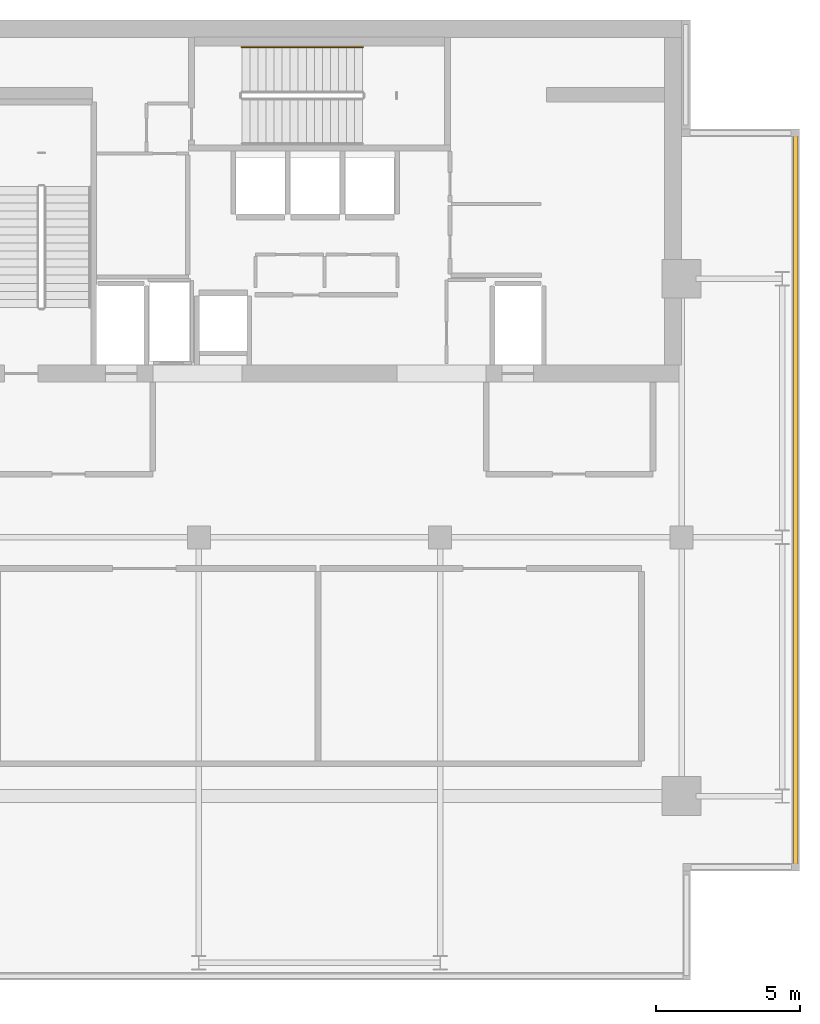
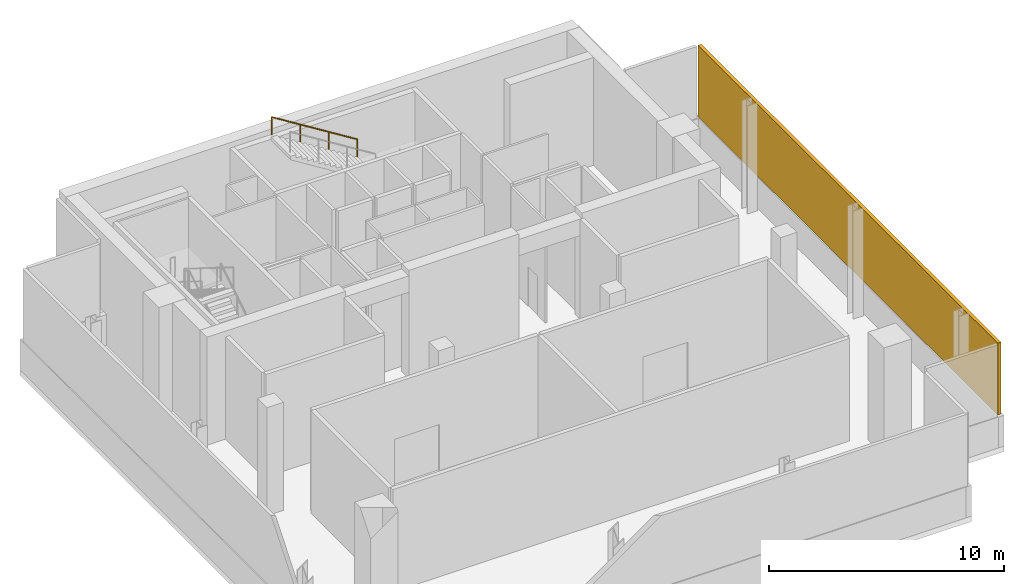
# One storey, part 6 of 6: 1 railing, 1 shading device.
"""IFC4 building model written with IfcOpenShell, lengths in metres."""

import ifcopenshell
import ifcopenshell.guid

model = None  # the IFC model being written
_history = None  # IfcOwnerHistory: only IFC2X3 demands one
_inside = {}  # id of a spatial element -> (the spatial element, [elements in it])
_under = {}  # id of a project, library or spatial element -> (it, [spatial elements below it])
_declared = {}  # id of a project -> (the project, [libraries it declares])
_typed = {}  # id of a type object -> (the type object, [elements of that type])
_made_of = {}  # id of a material, layer set ... -> (it, [elements and type objects made of it])


def new_model(schema):
    """Start an empty IFC model of exactly this schema.

    Asked for "IFC4X3", IfcOpenShell would pick the latest addendum, in which some entities
    have other attributes; the version numbers below select the first issue.
    IFC2X3 requires an IfcOwnerHistory on every rooted entity: one is made here for all.
    """
    global model, _history
    if schema == "IFC4X3":
        model = ifcopenshell.file(schema_version=(4, 3, 0, 0))
    else:
        model = ifcopenshell.file(schema=schema)
    _inside.clear()
    _under.clear()
    _declared.clear()
    _typed.clear()
    _made_of.clear()
    _history = None
    if model.schema == "IFC2X3":
        org = make("IfcOrganization", Name="unknown")
        user = make(
            "IfcPersonAndOrganization",
            ThePerson=make("IfcPerson", FamilyName="unknown"),
            TheOrganization=org,
        )
        app = make(
            "IfcApplication",
            ApplicationDeveloper=org,
            Version="unknown",
            ApplicationFullName="unknown",
            ApplicationIdentifier="unknown",
        )
        _history = make(
            "IfcOwnerHistory",
            OwningUser=user,
            OwningApplication=app,
            ChangeAction="ADDED",
            CreationDate=0,
        )
    return model


def make(cls, **values):
    """One entity of the class cls with the attributes given. An attribute that is None is left unset."""
    return model.create_entity(
        cls, **{name: value for name, value in values.items() if value is not None}
    )


def rooted(cls, **values):
    """An entity with a GlobalId (a new one), such as an element, a storey or a relation."""
    return make(cls, GlobalId=ifcopenshell.guid.new(), OwnerHistory=_history, **values)


def si_unit(unit_type, name, prefix=None):
    """IfcSIUnit, for example si_unit("LENGTHUNIT", "METRE", prefix="MILLI")."""
    return make("IfcSIUnit", UnitType=unit_type, Prefix=prefix, Name=name)


def assignment(units):
    """IfcUnitAssignment: the units of a project."""
    return None if units is None else make("IfcUnitAssignment", Units=units)


def point(xyz):
    """IfcCartesianPoint."""
    return None if xyz is None else make("IfcCartesianPoint", Coordinates=xyz)


def direction(xyz):
    """IfcDirection."""
    return None if xyz is None else make("IfcDirection", DirectionRatios=xyz)


def frame(location, z_axis=None, x_axis=None):
    """IfcAxis2Placement3D, a coordinate frame: its origin and axes. An axis left out is left unset."""
    return make(
        "IfcAxis2Placement3D",
        Location=point(location),
        Axis=direction(z_axis),
        RefDirection=direction(x_axis),
    )


def frame_2d(location, x_axis=None):
    """IfcAxis2Placement2D, a coordinate frame in the plane: its origin and x axis."""
    return make(
        "IfcAxis2Placement2D", Location=point(location), RefDirection=direction(x_axis)
    )


def origin():
    """The frame at (0, 0, 0) with its axes left unset."""
    return frame((0.0, 0.0, 0.0))


def origin_2d():
    """The frame at (0, 0) in the plane with its x axis left unset."""
    return frame_2d((0.0, 0.0))


def place(relative_to, where):
    """IfcLocalPlacement: puts the frame where relative to a parent placement (None: the world)."""
    return make(
        "IfcLocalPlacement", PlacementRelTo=relative_to, RelativePlacement=where
    )


def context(
    kind, dimensions, precision=None, world=None, true_north=None, identifier=None
):
    """IfcGeometricRepresentationContext, for example the 3D "Model" context."""
    return make(
        "IfcGeometricRepresentationContext",
        ContextIdentifier=identifier,
        ContextType=kind,
        CoordinateSpaceDimension=dimensions,
        Precision=precision,
        WorldCoordinateSystem=world,
        TrueNorth=true_north,
    )


def subcontext(parent, identifier, kind, view, scale=None):
    """IfcGeometricRepresentationSubContext, for example "Body" below "Model"."""
    return make(
        "IfcGeometricRepresentationSubContext",
        ContextIdentifier=identifier,
        ContextType=kind,
        ParentContext=parent,
        TargetScale=scale,
        TargetView=view,
    )


def project(units=None, contexts=None):
    """IfcProject with its units and contexts."""
    return rooted(
        "IfcProject",
        Name="project",
        RepresentationContexts=contexts,
        UnitsInContext=assignment(units),
    )


def spatial(cls, under=None, at=None, **own):
    """A site, building, storey or space (cls), placed at a placement, below another one or the project."""
    s = rooted(cls, ObjectPlacement=at, **own)
    if under is not None:
        _under.setdefault(under.id(), (under, []))[1].append(s)
    return s


def profile(cls, at=None, kind="AREA", **sizes):
    """A parametric profile (cls). Its sizes go by their IFC names, for example OverallWidth=200.0."""
    return make(cls, ProfileType=kind, Position=at, **sizes)


def rectangle(**sizes):
    """IfcRectangleProfileDef."""
    return profile("IfcRectangleProfileDef", **sizes)


def circle(**sizes):
    """IfcCircleProfileDef."""
    return profile("IfcCircleProfileDef", **sizes)


def extrude(swept, where, along, depth):
    """IfcExtrudedAreaSolid: the profile swept, set in the frame where, extruded along a direction by depth."""
    return make(
        "IfcExtrudedAreaSolid",
        SweptArea=swept,
        Position=where,
        ExtrudedDirection=direction(along),
        Depth=depth,
    )


def shape(context_of_items, identifier, shape_type, items):
    """IfcShapeRepresentation: the items that make up one representation, for example the "Body"."""
    return make(
        "IfcShapeRepresentation",
        ContextOfItems=context_of_items,
        RepresentationIdentifier=identifier,
        RepresentationType=shape_type,
        Items=items,
    )


def material(Name=None, Category=None):
    """IfcMaterial."""
    return make("IfcMaterial", Name=Name, Category=Category)


def layer(
    of_material, thickness, ventilated=None, Name=None, Category=None, Priority=None
):
    """IfcMaterialLayer: one layer of a wall or slab, of a material (None: an air gap)."""
    return make(
        "IfcMaterialLayer",
        Material=of_material,
        LayerThickness=thickness,
        IsVentilated=ventilated,
        Name=Name,
        Category=Category,
        Priority=Priority,
    )


def layer_set(layers, Name=None):
    """IfcMaterialLayerSet."""
    return make("IfcMaterialLayerSet", MaterialLayers=layers, LayerSetName=Name)


def made_of(thing, what):
    """Note that an element or type object is made of a material, layer set ...; save() writes the relation."""
    if what is not None:
        _made_of.setdefault(what.id(), (what, []))[1].append(thing)
    return thing


def type_object(cls, material=None, **own):
    """A type object (cls), such as IfcWallType, which elements share."""
    return made_of(rooted(cls, **own), material)


def element(
    cls,
    number,
    at=None,
    inside=None,
    cuts=None,
    type_object=None,
    material=None,
    context=None,
    identifier="Body",
    shape_type=None,
    held_by="IfcProductDefinitionShape",
    body=None,
    shapes=None,
    **own,
):
    """One element of the class cls, such as IfcWall. Its Tag is "e" and its number.

    at: its placement. inside: the storey or other place that contains it. cuts: it is an
    opening in that element (IfcRelVoidsElement). A single representation is given by context,
    identifier, shape_type and body (its items); several are given by shapes. held_by: the class
    of the entity that holds the representations. save() writes the other relations.
    """
    e = rooted(cls, Tag="e%d" % number, ObjectPlacement=at, **own)
    if body is not None:
        shapes = [shape(context, identifier, shape_type, body)]
    if shapes is not None:
        e.Representation = make(held_by, Representations=shapes)
    if inside is not None:
        _inside.setdefault(inside.id(), (inside, []))[1].append(e)
    if cuts is not None:
        rooted(
            "IfcRelVoidsElement", RelatingBuildingElement=cuts, RelatedOpeningElement=e
        )
    if type_object is not None:
        _typed.setdefault(type_object.id(), (type_object, []))[1].append(e)
    return made_of(e, material)


def aggregate(whole, parts):
    """IfcRelAggregates: a whole, such as a stair, and the parts it consists of."""
    return rooted("IfcRelAggregates", RelatingObject=whole, RelatedObjects=parts)


def save(model, path):
    """Write the relations noted so far, then the file.

    IfcRelAggregates (storeys below a building ...), IfcRelContainedInSpatialStructure (elements
    in a storey), IfcRelDefinesByType, IfcRelAssociatesMaterial and IfcRelDeclares: one each for
    every whole, place, type object, material and project.
    """
    for whole, parts in _under.values():
        aggregate(whole, parts)
    for where, things in _inside.values():
        rooted(
            "IfcRelContainedInSpatialStructure",
            RelatedElements=things,
            RelatingStructure=where,
        )
    for kind, things in _typed.values():
        rooted("IfcRelDefinesByType", RelatedObjects=things, RelatingType=kind)
    for what, things in _made_of.values():
        rooted("IfcRelAssociatesMaterial", RelatedObjects=things, RelatingMaterial=what)
    for by, libraries in _declared.values():
        rooted("IfcRelDeclares", RelatingContext=by, RelatedDefinitions=libraries)
    model.write(path)


model = new_model("IFC4")

# Units and contexts
model_context = context("Model", 3, precision=1e-05, world=origin(), true_north=direction((0.0, 1.0)))
body_context = subcontext(model_context, "Body", "Model", "MODEL_VIEW")
ifc_project = project(units=[si_unit("LENGTHUNIT", "METRE"), si_unit("AREAUNIT", "SQUARE_METRE"), si_unit("VOLUMEUNIT", "CUBIC_METRE"), si_unit("PLANEANGLEUNIT", "RADIAN"), si_unit("MASSUNIT", "GRAM", prefix="KILO")], contexts=[model_context])

# Site, building, storey
site_placement = place(None, origin())
site = spatial("IfcSite", under=ifc_project, at=site_placement, CompositionType="ELEMENT")
building_placement = place(site_placement, origin())
building = spatial("IfcBuilding", under=site, at=building_placement, Name="Maruvema Waterfront Hotel and Observation Tower", CompositionType="ELEMENT")
storey_placement = place(building_placement, frame((0.0, 0.0, 364.35009765625)))
storey = spatial("IfcBuildingStorey", under=building, at=storey_placement, Name="L89", CompositionType="ELEMENT", Elevation=364.35009765625)

# Shading device
ifc_material_1 = material(Name="Anodised architectural bronze aluminium", Category="aluminium")
ifc_layer = layer(ifc_material_1, 0.14990234375, Name="Acoustic Weatherproof Plant Louvre Panel 150 mm")
ifc_layer_set = layer_set([ifc_layer], Name="Anodised architectural bronze aluminium")
shading_device_type = type_object("IfcShadingDeviceType", Name="Acoustic Weatherproof Plant Louvre Panel 150 mm", PredefinedType="JALOUSIE", material=ifc_layer_set)
shading_device_placement = place(storey_placement, frame((54.3701171875, 37.300048828125, 1.60009765625), z_axis=(0.0, 0.0, 1.0), x_axis=(0.0, 1.0, 0.0)))
element("IfcShadingDevice", 1, at=shading_device_placement, inside=storey, type_object=shading_device_type, Name="L89 Mechanical Acoustic Louvre 04", PredefinedType="JALOUSIE", context=body_context, shape_type="SweptSolid", body=[
    extrude(rectangle(XDim=25.5, YDim=0.159912109375, at=origin_2d()), origin(), (0.0, 0.0, 1.0), 3.719970703125),
])

# Railing
ifc_material_2 = material(Name="Brushed stainless steel Grade 316", Category="steel")
railing_type = type_object("IfcRailingType", Name="Ramp Continuous Wall Handrail 920 mm", PredefinedType="HANDRAIL", material=ifc_material_2)
railing_placement = place(storey_placement, frame((39.300048828125, 53.050048828125, 2.974853515625)))
element("IfcRailing", 2, at=railing_placement, inside=storey, type_object=railing_type, Name="L89 ST-02 stair handrail 2", PredefinedType="HANDRAIL", context=body_context, shape_type="SweptSolid", body=[
    extrude(circle(Radius=0.02392578125, at=origin_2d()), frame((0.0, 0.0, 0.89599609375), z_axis=(-0.847995534698, 0.0, 0.530003370869), x_axis=(0.0, -1.0, 0.0)), (0.0, 0.0, 1.0), 4.952880859375),
    extrude(circle(Radius=0.02099609375, at=origin_2d()), origin(), (0.0, 0.0, 1.0), 0.871826171875),
    extrude(circle(Radius=0.02099609375, at=origin_2d()), frame((-1.39990234375, 0.0, 0.875)), (0.0, 0.0, 1.0), 0.871826171875),
    extrude(circle(Radius=0.02099609375, at=origin_2d()), frame((-2.800048828125, 0.0, 1.75)), (0.0, 0.0, 1.0), 0.871826171875),
    extrude(circle(Radius=0.02099609375, at=origin_2d()), frame((-4.199951171875, 0.0, 2.625)), (0.0, 0.0, 1.0), 0.871826171875),
])

save(model, "model.ifc")
